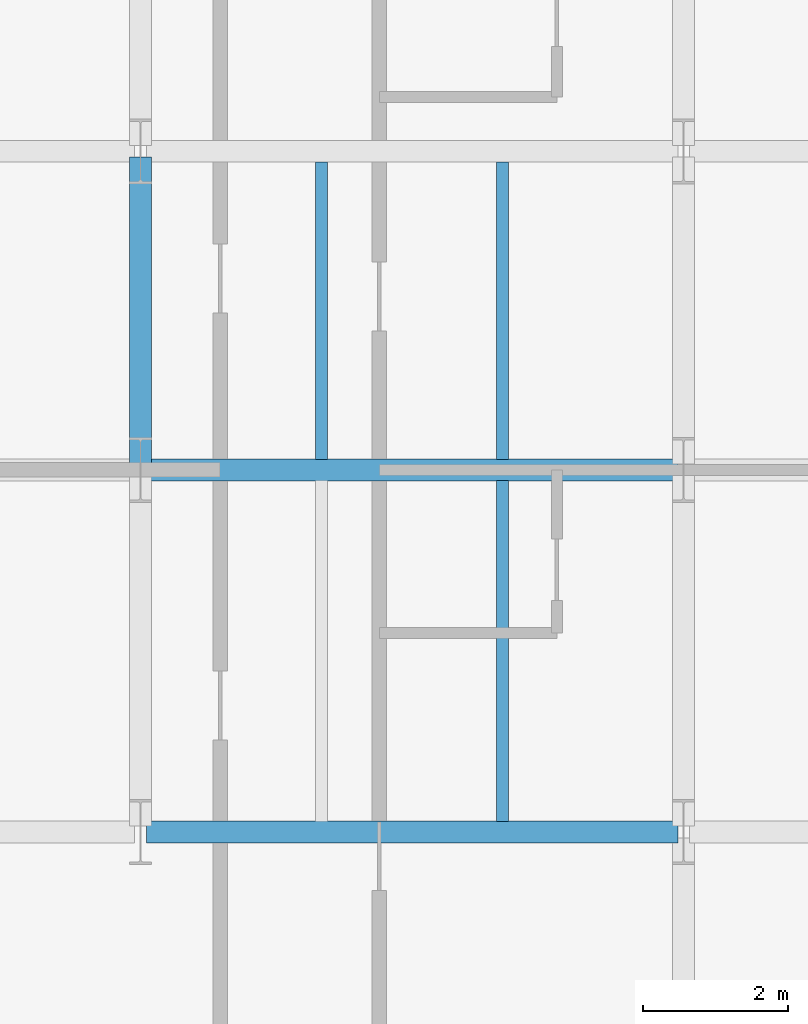
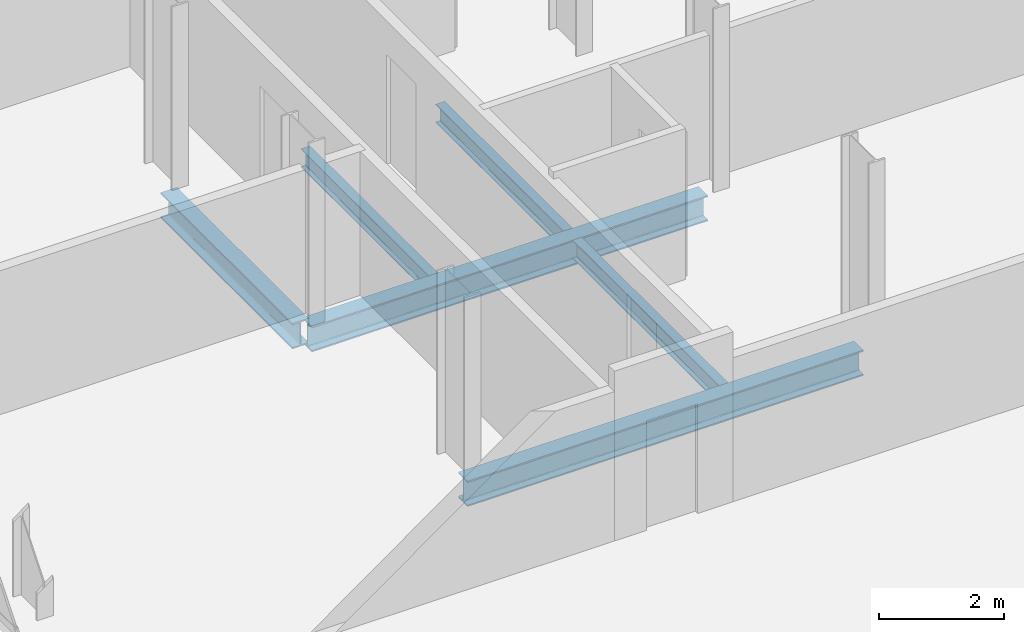
# One storey, part 6 of 33: 6 beams.
"""IFC4 building model written with IfcOpenShell, lengths in metres."""

from ifc_helpers import new_model, si_unit, direction, frame, origin, origin_2d, place, context, subcontext, project, spatial, i_section, extrude, material, material_profile, profile_set, type_object, element, save


model = new_model("IFC4")

# Units and contexts
model_context = context("Model", 3, precision=1e-05, world=origin(), true_north=direction((0.0, 1.0)))
body_context = subcontext(model_context, "Body", "Model", "MODEL_VIEW")
ifc_project = project(units=[si_unit("LENGTHUNIT", "METRE"), si_unit("AREAUNIT", "SQUARE_METRE"), si_unit("VOLUMEUNIT", "CUBIC_METRE"), si_unit("PLANEANGLEUNIT", "RADIAN"), si_unit("MASSUNIT", "GRAM", prefix="KILO")], contexts=[model_context])

# Site, building, storey
site_placement = place(None, origin())
site = spatial("IfcSite", under=ifc_project, at=site_placement, CompositionType="ELEMENT")
building_placement = place(site_placement, origin())
building = spatial("IfcBuilding", under=site, at=building_placement, Name="Catumbela Crestline Tower", CompositionType="ELEMENT")
storey_placement = place(building_placement, frame((0.0, 0.0, 58.2)))
storey = spatial("IfcBuildingStorey", under=building, at=storey_placement, Name="L14", CompositionType="ELEMENT", Elevation=58.2)

# Beams
ifc_material = material(Name="Structural steel S355J2", Category="steel")
ifc_material_profile_1 = material_profile(ifc_material, i_section(OverallWidth=0.3, OverallDepth=0.5, WebThickness=0.0145, FlangeThickness=0.028, FilletRadius=0.027, at=origin_2d()), Name="HEB 500")
ifc_profile_set_1 = profile_set([ifc_material_profile_1], Name="Structural steel S355J2")
beam_type_1 = type_object("IfcBeamType", Name="BG-HEB500", PredefinedType="BEAM", material=ifc_profile_set_1)
for number, where, z_axis, x_axis, name in (
    (1, (8.58, 8.6, -0.51), (1.0, 0.0, 0.0), (0.0, 1.0, 0.0), "L14 Beam BM-L14-WEW49"),
    (2, (8.58, 13.6, -0.51), (1.0, 0.0, 0.0), (0.0, 1.0, 0.0), "L14 Beam BM-L14-WEW52"),
):
    element("IfcBeam", number, at=place(storey_placement, frame(where, z_axis=z_axis, x_axis=x_axis)), inside=storey, type_object=beam_type_1, Name=name, PredefinedType="BEAM", context=body_context, shape_type="SweptSolid", body=[
        extrude(i_section(OverallWidth=0.3, OverallDepth=0.5, WebThickness=0.0145, FlangeThickness=0.028, FilletRadius=0.027, at=origin_2d()), origin(), (0.0, 0.0, 1.0), 7.34),
    ])
beam_1_placement = place(storey_placement, frame((8.5, 13.68, -0.51), z_axis=(0.0, 1.0, 0.0), x_axis=(-1.0, 0.0, 0.0)))
element("IfcBeam", 3, at=beam_1_placement, inside=storey, type_object=beam_type_1, Name="L14 Beam BM-L14-WNS62", PredefinedType="BEAM", context=body_context, shape_type="SweptSolid", body=[
    extrude(i_section(OverallWidth=0.3, OverallDepth=0.5, WebThickness=0.0145, FlangeThickness=0.028, FilletRadius=0.027, at=origin_2d()), origin(), (0.0, 0.0, 1.0), 4.24),
])
ifc_material_profile_2 = material_profile(ifc_material, i_section(OverallWidth=0.17, OverallDepth=0.36, WebThickness=0.008, FlangeThickness=0.0127, FilletRadius=0.018, at=origin_2d()), Name="IPE 360")
ifc_profile_set_2 = profile_set([ifc_material_profile_2], Name="Structural steel S355J2")
beam_type_2 = type_object("IfcBeamType", Name="BJ-IPE360", PredefinedType="JOIST", material=ifc_profile_set_2)
beam_2_placement = place(storey_placement, frame((13.5, 8.747, -0.44), z_axis=(0.0, 1.0, 0.0), x_axis=(-1.0, 0.0, 0.0)))
element("IfcBeam", 4, at=beam_2_placement, inside=storey, type_object=beam_type_2, Name="L14 Joist JS-L14-WG73", PredefinedType="JOIST", context=body_context, shape_type="SweptSolid", body=[
    extrude(i_section(OverallWidth=0.17, OverallDepth=0.36, WebThickness=0.008, FlangeThickness=0.0127, FilletRadius=0.018, at=origin_2d()), origin(), (0.0, 0.0, 1.0), 4.706),
])
for number, where, z_axis, x_axis, name in (
    (5, (11.0, 13.747, -0.44), (0.0, 1.0, 0.0), (-1.0, 0.0, 0.0), "L14 Joist JS-L14-WG78"),
    (6, (13.5, 13.747, -0.44), (0.0, 1.0, 0.0), (-1.0, 0.0, 0.0), "L14 Joist JS-L14-WG79"),
):
    element("IfcBeam", number, at=place(storey_placement, frame(where, z_axis=z_axis, x_axis=x_axis)), inside=storey, type_object=beam_type_2, Name=name, PredefinedType="JOIST", context=body_context, shape_type="SweptSolid", body=[
        extrude(i_section(OverallWidth=0.17, OverallDepth=0.36, WebThickness=0.008, FlangeThickness=0.0127, FilletRadius=0.018, at=origin_2d()), origin(), (0.0, 0.0, 1.0), 4.106),
    ])

save(model, "model.ifc")
